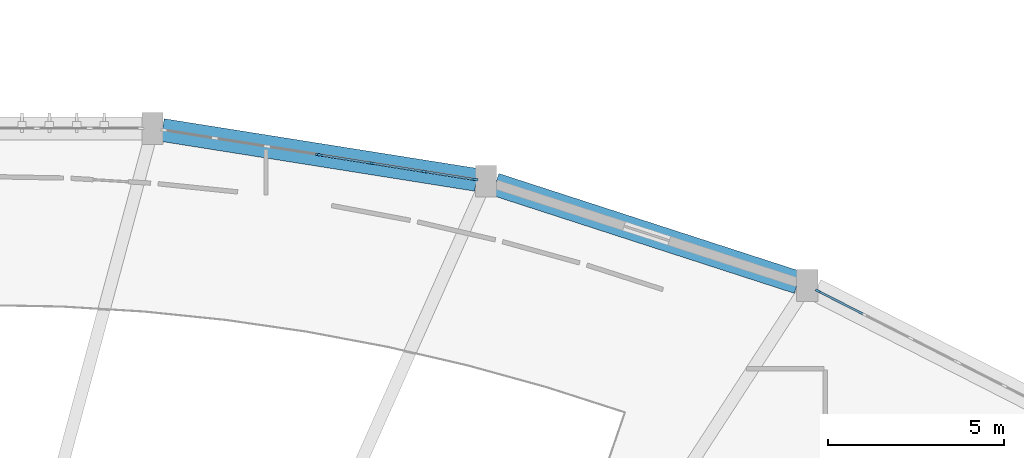
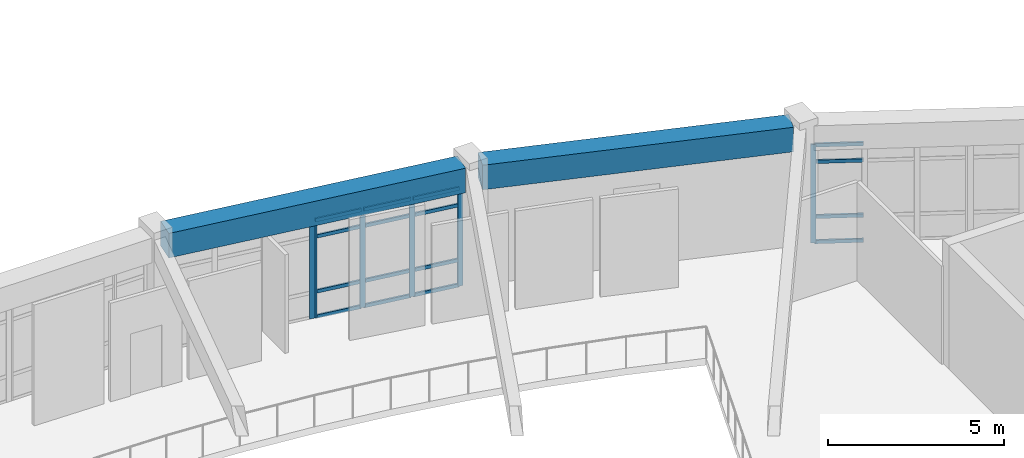
# One storey, part 22 of 54: 22 members, 2 beams, 3 elements without a shape of their own.
"""IFC4 building model written with IfcOpenShell, lengths in metres."""

from ifc_helpers import new_model, si_unit, direction, frame, origin, origin_2d, place, context, subcontext, project, spatial, rectangle, extrude, material, layer, layer_set, material_profile, profile_set, type_object, element, aggregate, save


model = new_model("IFC4")

# Units and contexts
model_context = context("Model", 3, precision=1e-05, world=origin(), true_north=direction((0.0, 1.0)))
body_context = subcontext(model_context, "Body", "Model", "MODEL_VIEW")
ifc_project = project(units=[si_unit("LENGTHUNIT", "METRE"), si_unit("AREAUNIT", "SQUARE_METRE"), si_unit("VOLUMEUNIT", "CUBIC_METRE"), si_unit("PLANEANGLEUNIT", "RADIAN"), si_unit("MASSUNIT", "GRAM", prefix="KILO")], contexts=[model_context])

# Site, building, storey
site_placement = place(None, origin())
site = spatial("IfcSite", under=ifc_project, at=site_placement, CompositionType="ELEMENT")
building_placement = place(site_placement, origin())
building = spatial("IfcBuilding", under=site, at=building_placement, Name="Miralva Faculty of Natural Sciences", CompositionType="ELEMENT")
storey_placement = place(building_placement, frame((0.0, 0.0, 19.5)))
storey = spatial("IfcBuildingStorey", under=building, at=storey_placement, Name="L04", CompositionType="ELEMENT", Elevation=19.5)

# Beams
ifc_material_1 = material(Name="Concrete C40/50", Category="concrete")
ifc_material_profile_1 = material_profile(ifc_material_1, rectangle(XDim=0.64990234375, YDim=0.85009765625, at=origin_2d()), Name="RC 650x850")
ifc_profile_set_1 = profile_set([ifc_material_profile_1], Name="Concrete C40/50")
beam_type = type_object("IfcBeamType", Name="BM-SP03", PredefinedType="SPANDREL", material=ifc_profile_set_1)
beam_1_placement = place(storey_placement, frame((113.077392578125, 35.445068359375, 3.8349609375), z_axis=(-0.951264483171, 0.30837620378, 0.0), x_axis=(-0.30837620378, -0.951264483171, 0.0)))
element("IfcBeam", 1, at=beam_1_placement, inside=storey, type_object=beam_type, Name="Curved chord girder SHOUT L04-3", PredefinedType="SPANDREL", context=body_context, shape_type="SweptSolid", body=[
    extrude(rectangle(XDim=0.64990234375, YDim=0.85009765625, at=origin_2d()), origin(), (0.0, 0.0, 1.0), 9.01416015625),
])
beam_2_placement = place(storey_placement, frame((103.96728515625, 38.353271484375, 3.8349609375), z_axis=(-0.987637724409, 0.156753709124, 0.0), x_axis=(-0.156753709124, -0.987637724409, 0.0)))
element("IfcBeam", 2, at=beam_2_placement, inside=storey, type_object=beam_type, Name="Curved chord girder SHOUT L04-4", PredefinedType="SPANDREL", context=body_context, shape_type="SweptSolid", body=[
    extrude(rectangle(XDim=0.64990234375, YDim=0.85009765625, at=origin_2d()), origin(), (0.0, 0.0, 1.0), 9.016357421875),
])

# Curtain wall, member
ifc_material_2 = material(Name="Laminated solar-control glass", Category="glass")
ifc_layer = layer(ifc_material_2, 0.179931640625, Name="CW-ARC-L03")
ifc_layer_set = layer_set([ifc_layer], Name="Laminated solar-control glass")
curtain_wall_type = type_object("IfcCurtainWallType", Name="CW-ARC-L03", PredefinedType="USERDEFINED", material=ifc_layer_set)
curtain_wall_1_placement = place(storey_placement, origin())
curtain_wall_1 = element("IfcCurtainWall", 3, at=curtain_wall_1_placement, inside=storey, type_object=curtain_wall_type, Name="Curtain wall CW-03 L04-183", ObjectType="UNITISED CURTAIN WALL", PredefinedType="USERDEFINED")
ifc_material_3 = material(Name="Anodised aluminium", Category="aluminium")
ifc_material_profile_2 = material_profile(ifc_material_3, rectangle(XDim=0.06494140625, YDim=0.159912109375, at=origin_2d()), Name="MULLION 65x160")
ifc_profile_set_2 = profile_set([ifc_material_profile_2], Name="Anodised aluminium")
member_type_1 = type_object("IfcMemberType", Name="CW-M02", PredefinedType="MULLION", material=ifc_profile_set_2)
member_1_placement = place(storey_placement, frame((99.48095703125, 39.068359375, 0.0), z_axis=(0.0, 0.0, 1.0), x_axis=(0.15640978572, 0.987692249099, 0.0)))
member_1 = element("IfcMember", 4, at=member_1_placement, type_object=member_type_1, Name="CW-03 mullion 4", PredefinedType="MULLION", context=body_context, shape_type="SweptSolid", body=[
    extrude(rectangle(XDim=0.06494140625, YDim=0.159912109375, at=origin_2d()), origin(), (0.0, 0.0, 1.0), 3.405029296875),
])
aggregate(curtain_wall_1, [member_1])

# Curtain wall, members
curtain_wall_2_placement = place(storey_placement, origin())
curtain_wall_2 = element("IfcCurtainWall", 5, at=curtain_wall_2_placement, inside=storey, type_object=curtain_wall_type, Name="Curtain wall CW-03 L04-184", ObjectType="UNITISED CURTAIN WALL", PredefinedType="USERDEFINED")
member_2_placement = place(storey_placement, frame((99.540283203125, 39.05908203125, 0.0), z_axis=(0.0, 0.0, 1.0), x_axis=(0.156436640476, 0.987687996038, 0.0)))
member_2 = element("IfcMember", 6, at=member_2_placement, type_object=member_type_1, Name="CW-03 mullion 1", PredefinedType="MULLION", context=body_context, shape_type="SweptSolid", body=[
    extrude(rectangle(XDim=0.06494140625, YDim=0.159912109375, at=origin_2d()), origin(), (0.0, 0.0, 1.0), 3.405029296875),
])
member_3_placement = place(storey_placement, frame((100.99169921875, 38.8291015625, 0.0), z_axis=(0.0, 0.0, 1.0), x_axis=(0.156436640476, 0.987687996038, 0.0)))
member_3 = element("IfcMember", 7, at=member_3_placement, type_object=member_type_1, Name="CW-03 mullion 2", PredefinedType="MULLION", context=body_context, shape_type="SweptSolid", body=[
    extrude(rectangle(XDim=0.06494140625, YDim=0.159912109375, at=origin_2d()), origin(), (0.0, 0.0, 1.0), 3.405029296875),
])
member_4_placement = place(storey_placement, frame((102.47509765625, 38.59423828125, 0.0), z_axis=(0.0, 0.0, 1.0), x_axis=(0.156436640476, 0.987687996038, 0.0)))
member_4 = element("IfcMember", 8, at=member_4_placement, type_object=member_type_1, Name="CW-03 mullion 3", PredefinedType="MULLION", context=body_context, shape_type="SweptSolid", body=[
    extrude(rectangle(XDim=0.06494140625, YDim=0.159912109375, at=origin_2d()), origin(), (0.0, 0.0, 1.0), 3.405029296875),
])
member_5_placement = place(storey_placement, frame((103.926513671875, 38.3642578125, 0.0), z_axis=(0.0, 0.0, 1.0), x_axis=(0.156436640476, 0.987687996038, 0.0)))
member_5 = element("IfcMember", 9, at=member_5_placement, type_object=member_type_1, Name="CW-03 mullion 4", PredefinedType="MULLION", context=body_context, shape_type="SweptSolid", body=[
    extrude(rectangle(XDim=0.06494140625, YDim=0.159912109375, at=origin_2d()), origin(), (0.0, 0.0, 1.0), 3.405029296875),
])

# Curtain wall, member
curtain_wall_3_placement = place(storey_placement, origin())
curtain_wall_3 = element("IfcCurtainWall", 10, at=curtain_wall_3_placement, inside=storey, type_object=curtain_wall_type, Name="Curtain wall CW-03 L04-185", ObjectType="UNITISED CURTAIN WALL", PredefinedType="USERDEFINED")
member_6_placement = place(storey_placement, frame((113.6533203125, 35.19873046875, 0.0), z_axis=(0.0, 0.0, 1.0), x_axis=(0.453973358631, 0.891015257812, 0.0)))
member_6 = element("IfcMember", 11, at=member_6_placement, type_object=member_type_1, Name="CW-03 mullion 1", PredefinedType="MULLION", context=body_context, shape_type="SweptSolid", body=[
    extrude(rectangle(XDim=0.06494140625, YDim=0.159912109375, at=origin_2d()), origin(), (0.0, 0.0, 1.0), 3.405029296875),
])

# Member
ifc_material_profile_3 = material_profile(ifc_material_3, rectangle(XDim=0.06005859375, YDim=0.1201171875, at=origin_2d()), Name="TRANSOM 60x120")
ifc_profile_set_3 = profile_set([ifc_material_profile_3], Name="Anodised aluminium")
member_type_2 = type_object("IfcMemberType", Name="CW-T02", PredefinedType="USERDEFINED", material=ifc_profile_set_3)
member_7_placement = place(storey_placement, frame((99.572509765625, 39.053955078125, 0.030029296875), z_axis=(0.987686739548, -0.156444573318, 0.0), x_axis=(0.156444573318, 0.987686739548, 0.0)))
member_7 = element("IfcMember", 12, at=member_7_placement, type_object=member_type_2, Name="CW-03 transom 1.1", ObjectType="TRANSOM", PredefinedType="USERDEFINED", context=body_context, shape_type="SweptSolid", body=[
    extrude(rectangle(XDim=0.06005859375, YDim=0.1201171875, at=origin_2d()), origin(), (0.0, 0.0, 1.0), 1.404541015625),
])

member_8_placement = place(storey_placement, frame((99.572509765625, 39.053955078125, 0.89990234375), z_axis=(0.987686739548, -0.156444573318, 0.0), x_axis=(0.156444573318, 0.987686739548, 0.0)))
member_8 = element("IfcMember", 13, at=member_8_placement, type_object=member_type_2, Name="CW-03 transom 1.2", ObjectType="TRANSOM", PredefinedType="USERDEFINED", context=body_context, shape_type="SweptSolid", body=[
    extrude(rectangle(XDim=0.06005859375, YDim=0.1201171875, at=origin_2d()), origin(), (0.0, 0.0, 1.0), 1.404541015625),
])

member_9_placement = place(storey_placement, frame((99.572509765625, 39.053955078125, 2.804931640625), z_axis=(0.987686739548, -0.156444573318, 0.0), x_axis=(0.156444573318, 0.987686739548, 0.0)))
member_9 = element("IfcMember", 14, at=member_9_placement, type_object=member_type_2, Name="CW-03 transom 1.3", ObjectType="TRANSOM", PredefinedType="USERDEFINED", context=body_context, shape_type="SweptSolid", body=[
    extrude(rectangle(XDim=0.06005859375, YDim=0.1201171875, at=origin_2d()), origin(), (0.0, 0.0, 1.0), 1.404541015625),
])

member_10_placement = place(storey_placement, frame((99.572509765625, 39.053955078125, 3.375), z_axis=(0.987686739548, -0.156444573318, 0.0), x_axis=(0.156444573318, 0.987686739548, 0.0)))
member_10 = element("IfcMember", 15, at=member_10_placement, type_object=member_type_2, Name="CW-03 transom 1.4", ObjectType="TRANSOM", PredefinedType="USERDEFINED", context=body_context, shape_type="SweptSolid", body=[
    extrude(rectangle(XDim=0.06005859375, YDim=0.1201171875, at=origin_2d()), origin(), (0.0, 0.0, 1.0), 1.404541015625),
])

member_11_placement = place(storey_placement, frame((101.023681640625, 38.823974609375, 0.030029296875), z_axis=(0.987710566798, -0.156294069738, 0.0), x_axis=(0.156294069738, 0.987710566798, 0.0)))
member_11 = element("IfcMember", 16, at=member_11_placement, type_object=member_type_2, Name="CW-03 transom 2.1", ObjectType="TRANSOM", PredefinedType="USERDEFINED", context=body_context, shape_type="SweptSolid", body=[
    extrude(rectangle(XDim=0.06005859375, YDim=0.1201171875, at=origin_2d()), origin(), (0.0, 0.0, 1.0), 1.43701171875),
])

member_12_placement = place(storey_placement, frame((101.023681640625, 38.823974609375, 0.89990234375), z_axis=(0.987710566798, -0.156294069738, 0.0), x_axis=(0.156294069738, 0.987710566798, 0.0)))
member_12 = element("IfcMember", 17, at=member_12_placement, type_object=member_type_2, Name="CW-03 transom 2.2", ObjectType="TRANSOM", PredefinedType="USERDEFINED", context=body_context, shape_type="SweptSolid", body=[
    extrude(rectangle(XDim=0.06005859375, YDim=0.1201171875, at=origin_2d()), origin(), (0.0, 0.0, 1.0), 1.43701171875),
])

member_13_placement = place(storey_placement, frame((101.023681640625, 38.823974609375, 2.804931640625), z_axis=(0.987710566798, -0.156294069738, 0.0), x_axis=(0.156294069738, 0.987710566798, 0.0)))
member_13 = element("IfcMember", 18, at=member_13_placement, type_object=member_type_2, Name="CW-03 transom 2.3", ObjectType="TRANSOM", PredefinedType="USERDEFINED", context=body_context, shape_type="SweptSolid", body=[
    extrude(rectangle(XDim=0.06005859375, YDim=0.1201171875, at=origin_2d()), origin(), (0.0, 0.0, 1.0), 1.43701171875),
])

member_14_placement = place(storey_placement, frame((101.023681640625, 38.823974609375, 3.375), z_axis=(0.987710566798, -0.156294069738, 0.0), x_axis=(0.156294069738, 0.987710566798, 0.0)))
member_14 = element("IfcMember", 19, at=member_14_placement, type_object=member_type_2, Name="CW-03 transom 2.4", ObjectType="TRANSOM", PredefinedType="USERDEFINED", context=body_context, shape_type="SweptSolid", body=[
    extrude(rectangle(XDim=0.06005859375, YDim=0.1201171875, at=origin_2d()), origin(), (0.0, 0.0, 1.0), 1.43701171875),
])

member_15_placement = place(storey_placement, frame((102.50732421875, 38.589111328125, 0.030029296875), z_axis=(0.987686739548, -0.156444573318, 0.0), x_axis=(0.156444573318, 0.987686739548, 0.0)))
member_15 = element("IfcMember", 20, at=member_15_placement, type_object=member_type_2, Name="CW-03 transom 3.1", ObjectType="TRANSOM", PredefinedType="USERDEFINED", context=body_context, shape_type="SweptSolid", body=[
    extrude(rectangle(XDim=0.06005859375, YDim=0.1201171875, at=origin_2d()), origin(), (0.0, 0.0, 1.0), 1.404541015625),
])

member_16_placement = place(storey_placement, frame((102.50732421875, 38.589111328125, 0.89990234375), z_axis=(0.987686739548, -0.156444573318, 0.0), x_axis=(0.156444573318, 0.987686739548, 0.0)))
member_16 = element("IfcMember", 21, at=member_16_placement, type_object=member_type_2, Name="CW-03 transom 3.2", ObjectType="TRANSOM", PredefinedType="USERDEFINED", context=body_context, shape_type="SweptSolid", body=[
    extrude(rectangle(XDim=0.06005859375, YDim=0.1201171875, at=origin_2d()), origin(), (0.0, 0.0, 1.0), 1.404541015625),
])

member_17_placement = place(storey_placement, frame((102.50732421875, 38.589111328125, 2.804931640625), z_axis=(0.987686739548, -0.156444573318, 0.0), x_axis=(0.156444573318, 0.987686739548, 0.0)))
member_17 = element("IfcMember", 22, at=member_17_placement, type_object=member_type_2, Name="CW-03 transom 3.3", ObjectType="TRANSOM", PredefinedType="USERDEFINED", context=body_context, shape_type="SweptSolid", body=[
    extrude(rectangle(XDim=0.06005859375, YDim=0.1201171875, at=origin_2d()), origin(), (0.0, 0.0, 1.0), 1.404541015625),
])

member_18_placement = place(storey_placement, frame((102.50732421875, 38.589111328125, 3.375), z_axis=(0.987686739548, -0.156444573318, 0.0), x_axis=(0.156444573318, 0.987686739548, 0.0)))
member_18 = element("IfcMember", 23, at=member_18_placement, type_object=member_type_2, Name="CW-03 transom 3.4", ObjectType="TRANSOM", PredefinedType="USERDEFINED", context=body_context, shape_type="SweptSolid", body=[
    extrude(rectangle(XDim=0.06005859375, YDim=0.1201171875, at=origin_2d()), origin(), (0.0, 0.0, 1.0), 1.404541015625),
])

aggregate(curtain_wall_2, [member_2, member_3, member_4, member_5, member_7, member_8, member_9, member_10, member_11, member_12, member_13, member_14, member_15, member_16, member_17, member_18])

member_19_placement = place(storey_placement, frame((113.682373046875, 35.18408203125, 0.030029296875), z_axis=(0.891000699846, -0.454001930474, 0.0), x_axis=(0.454001930474, 0.891000699846, 0.0)))
member_19 = element("IfcMember", 24, at=member_19_placement, type_object=member_type_2, Name="CW-03 transom 1.1", ObjectType="TRANSOM", PredefinedType="USERDEFINED", context=body_context, shape_type="SweptSolid", body=[
    extrude(rectangle(XDim=0.06005859375, YDim=0.1201171875, at=origin_2d()), origin(), (0.0, 0.0, 1.0), 1.392822265625),
])

member_20_placement = place(storey_placement, frame((113.682373046875, 35.18408203125, 0.89990234375), z_axis=(0.891000699846, -0.454001930474, 0.0), x_axis=(0.454001930474, 0.891000699846, 0.0)))
member_20 = element("IfcMember", 25, at=member_20_placement, type_object=member_type_2, Name="CW-03 transom 1.2", ObjectType="TRANSOM", PredefinedType="USERDEFINED", context=body_context, shape_type="SweptSolid", body=[
    extrude(rectangle(XDim=0.06005859375, YDim=0.1201171875, at=origin_2d()), origin(), (0.0, 0.0, 1.0), 1.392822265625),
])

member_21_placement = place(storey_placement, frame((113.682373046875, 35.18408203125, 2.804931640625), z_axis=(0.891000699846, -0.454001930474, 0.0), x_axis=(0.454001930474, 0.891000699846, 0.0)))
member_21 = element("IfcMember", 26, at=member_21_placement, type_object=member_type_2, Name="CW-03 transom 1.3", ObjectType="TRANSOM", PredefinedType="USERDEFINED", context=body_context, shape_type="SweptSolid", body=[
    extrude(rectangle(XDim=0.06005859375, YDim=0.1201171875, at=origin_2d()), origin(), (0.0, 0.0, 1.0), 1.392822265625),
])

member_22_placement = place(storey_placement, frame((113.682373046875, 35.18408203125, 3.375), z_axis=(0.891000699846, -0.454001930474, 0.0), x_axis=(0.454001930474, 0.891000699846, 0.0)))
member_22 = element("IfcMember", 27, at=member_22_placement, type_object=member_type_2, Name="CW-03 transom 1.4", ObjectType="TRANSOM", PredefinedType="USERDEFINED", context=body_context, shape_type="SweptSolid", body=[
    extrude(rectangle(XDim=0.06005859375, YDim=0.1201171875, at=origin_2d()), origin(), (0.0, 0.0, 1.0), 1.392822265625),
])

aggregate(curtain_wall_3, [member_6, member_19, member_20, member_21, member_22])

save(model, "model.ifc")
